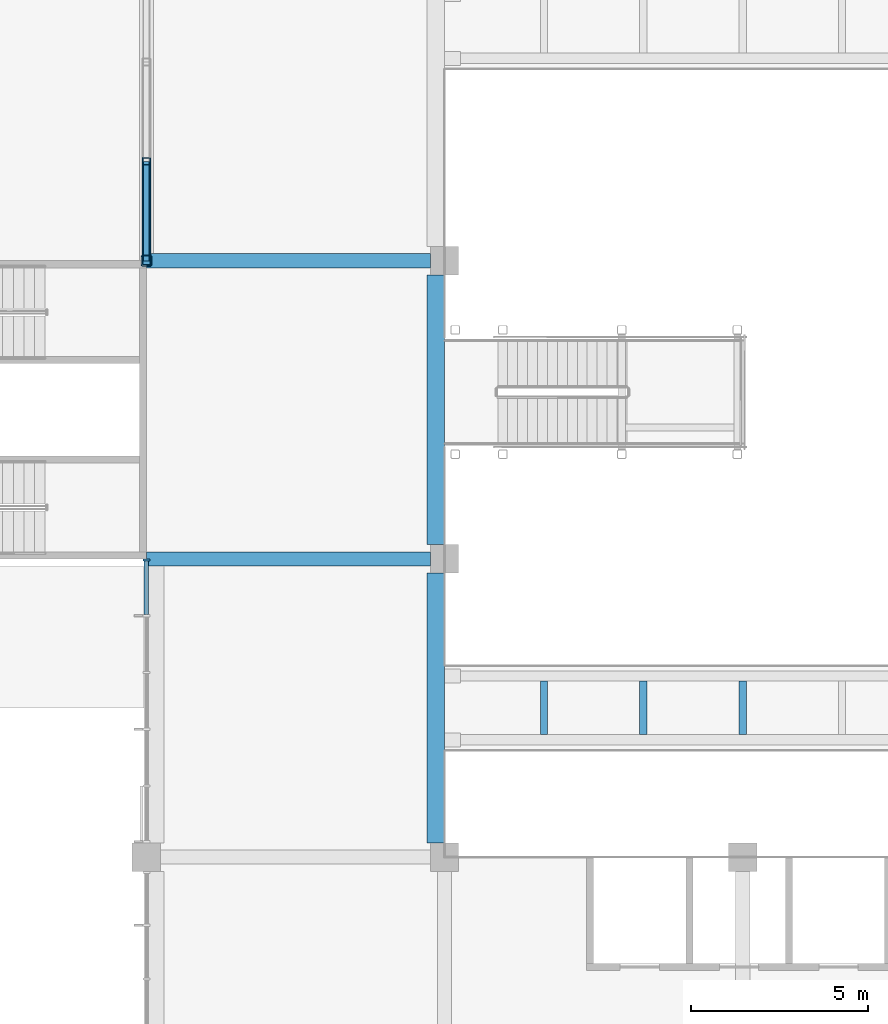
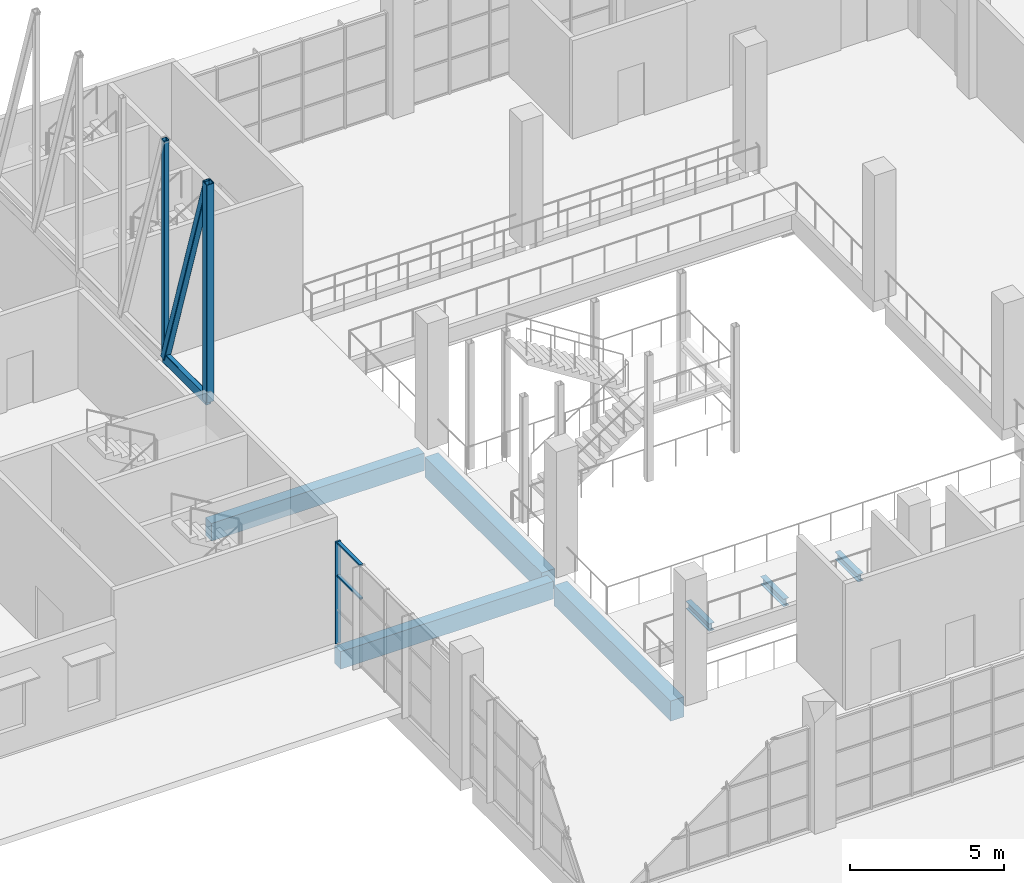
# One storey, part 13 of 101: 7 beams, 7 members, 1 element without a shape of its own.
"""IFC4 building model written with IfcOpenShell, lengths in metres."""

from ifc_helpers import new_model, si_unit, direction, frame, origin, origin_2d, place, context, subcontext, project, spatial, rectangle, hollow_rectangle, i_section, extrude, material, material_profile, profile_set, type_object, element, aggregate, save


model = new_model("IFC4")

# Units and contexts
model_context = context("Model", 3, precision=1e-05, world=origin(), true_north=direction((0.0, 1.0)))
body_context = subcontext(model_context, "Body", "Model", "MODEL_VIEW")
ifc_project = project(units=[si_unit("LENGTHUNIT", "METRE"), si_unit("AREAUNIT", "SQUARE_METRE"), si_unit("VOLUMEUNIT", "CUBIC_METRE"), si_unit("PLANEANGLEUNIT", "RADIAN"), si_unit("MASSUNIT", "GRAM", prefix="KILO")], contexts=[model_context])

# Site, building, storey
site_placement = place(None, origin())
site = spatial("IfcSite", under=ifc_project, at=site_placement, CompositionType="ELEMENT")
building_placement = place(site_placement, origin())
building = spatial("IfcBuilding", under=site, at=building_placement, Name="Almond Square Museum", CompositionType="ELEMENT")
storey_placement = place(building_placement, frame((0.0, 0.0, 5.5)))
storey = spatial("IfcBuildingStorey", under=building, at=storey_placement, Name="L01", CompositionType="ELEMENT", Elevation=5.5)

# Curtain wall, members
ifc_material_1 = material(Name="Aluminium and laminated glass", Category="aluminium")
curtain_wall_type = type_object("IfcCurtainWallType", Name="Unitised curtain wall 1500 module", PredefinedType="NOTDEFINED", material=ifc_material_1)
curtain_wall_placement = place(storey_placement, origin())
curtain_wall = element("IfcCurtainWall", 1, at=curtain_wall_placement, inside=storey, type_object=curtain_wall_type, Name="Curtain wall CW-11", PredefinedType="NOTDEFINED")
ifc_material_2 = material(Name="Anodised aluminium", Category="aluminium")
ifc_material_profile_1 = material_profile(ifc_material_2, rectangle(XDim=0.199951171875, YDim=0.06005859375, at=origin_2d()))
ifc_profile_set_1 = profile_set([ifc_material_profile_1], Name="Anodised aluminium")
member_type_1 = type_object("IfcMemberType", Name="Aluminium mullion 60 x 200", PredefinedType="MULLION", material=ifc_profile_set_1)
member_1_placement = place(storey_placement, frame((73.199951171875, 83.969970703125, 0.0), z_axis=(0.0, 0.0, 1.0), x_axis=(-1.0, 0.0, 0.0)))
member_1 = element("IfcMember", 2, at=member_1_placement, type_object=member_type_1, Name="CW-11 mullion 6", PredefinedType="MULLION", context=body_context, shape_type="SweptSolid", body=[
    extrude(rectangle(XDim=0.199951171875, YDim=0.06005859375, at=origin_2d()), origin(), (0.0, 0.0, 1.0), 4.050048828125),
])
ifc_material_3 = material(Name="Anodised aluminium", Category="aluminium")
ifc_material_profile_2 = material_profile(ifc_material_3, rectangle(XDim=0.1201171875, YDim=0.06005859375, at=origin_2d()))
ifc_profile_set_2 = profile_set([ifc_material_profile_2], Name="Anodised aluminium")
member_type_2 = type_object("IfcMemberType", Name="Aluminium transom 60 x 120", PredefinedType="USERDEFINED", material=ifc_profile_set_2)
member_2_placement = place(storey_placement, frame((73.199951171875, 82.429931640625, 2.699951171875), z_axis=(0.0, 1.0, 0.0), x_axis=(-1.0, 0.0, 0.0)))
member_2 = element("IfcMember", 3, at=member_2_placement, type_object=member_type_2, Name="CW-11 transom 5.3", ObjectType="TRANSOM", PredefinedType="USERDEFINED", context=body_context, shape_type="SweptSolid", body=[
    extrude(rectangle(XDim=0.1201171875, YDim=0.06005859375, at=origin_2d()), origin(), (0.0, 0.0, 1.0), 1.510009765625),
])
member_3_placement = place(storey_placement, frame((73.199951171875, 82.429931640625, 4.02001953125), z_axis=(0.0, 1.0, 0.0), x_axis=(-1.0, 0.0, 0.0)))
member_3 = element("IfcMember", 4, at=member_3_placement, type_object=member_type_2, Name="CW-11 transom 5.4", ObjectType="TRANSOM", PredefinedType="USERDEFINED", context=body_context, shape_type="SweptSolid", body=[
    extrude(rectangle(XDim=0.1201171875, YDim=0.06005859375, at=origin_2d()), origin(), (0.0, 0.0, 1.0), 1.510009765625),
])
aggregate(curtain_wall, [member_1, member_2, member_3])

# Beams
ifc_material_4 = material(Name="Structural steel S355", Category="steel")
ifc_material_profile_3 = material_profile(ifc_material_4, i_section(OverallWidth=0.202880859375, OverallDepth=0.302001953125, WebThickness=0.007568359375, FlangeThickness=0.01318359375, at=origin_2d()))
ifc_profile_set_3 = profile_set([ifc_material_profile_3], Name="Structural steel S355")
beam_type_1 = type_object("IfcBeamType", Name="Floor beam W310x60", PredefinedType="BEAM", material=ifc_profile_set_3)
for number, where, z_axis, x_axis, name in (
    (5, (84.39990234375, 79.0458984375, -0.301025390625), (0.0, 1.0, 0.0), (-1.0, 0.0, 0.0), "Bridge 1 cross beam 1"),
    (6, (87.199951171875, 79.0458984375, -0.301025390625), (0.0, 1.0, 0.0), (-1.0, 0.0, 0.0), "Bridge 1 cross beam 2"),
    (7, (90.0, 79.0458984375, -0.301025390625), (0.0, 1.0, 0.0), (-1.0, 0.0, 0.0), "Bridge 1 cross beam 3"),
):
    element("IfcBeam", number, at=place(storey_placement, frame(where, z_axis=z_axis, x_axis=x_axis)), inside=storey, type_object=beam_type_1, Name=name, PredefinedType="BEAM", context=body_context, shape_type="SweptSolid", body=[
        extrude(i_section(OverallWidth=0.202880859375, OverallDepth=0.302001953125, WebThickness=0.007568359375, FlangeThickness=0.01318359375, at=origin_2d()), origin(), (0.0, 0.0, 1.0), 1.508056640625),
    ])
ifc_material_5 = material(Name="Concrete C40/50", Category="concrete")
ifc_material_profile_4 = material_profile(ifc_material_5, rectangle(XDim=0.39990234375, YDim=0.699951171875, at=origin_2d()))
ifc_profile_set_4 = profile_set([ifc_material_profile_4], Name="Concrete C40/50")
beam_type_2 = type_object("IfcBeamType", Name="RC beam 400 x 700 C40/50", PredefinedType="BEAM", material=ifc_profile_set_4)
for number, where, z_axis, x_axis, name in (
    (8, (73.199951171875, 84.0, -0.60009765625), (1.0, 0.0, 0.0), (0.0, 1.0, 0.0), "Beam K 10-11 L01"),
    (9, (73.199951171875, 92.39990234375, -0.60009765625), (1.0, 0.0, 0.0), (0.0, 1.0, 0.0), "Beam L 10-11 L01"),
):
    element("IfcBeam", number, at=place(storey_placement, frame(where, z_axis=z_axis, x_axis=x_axis)), inside=storey, type_object=beam_type_2, Name=name, PredefinedType="BEAM", context=body_context, shape_type="SweptSolid", body=[
        extrude(rectangle(XDim=0.39990234375, YDim=0.699951171875, at=origin_2d()), origin(), (0.0, 0.0, 1.0), 8.0),
    ])
ifc_material_6 = material(Name="Concrete C40/50", Category="concrete")
ifc_material_profile_5 = material_profile(ifc_material_6, rectangle(XDim=0.5, YDim=0.800048828125, at=origin_2d()))
ifc_profile_set_5 = profile_set([ifc_material_profile_5], Name="Concrete C40/50")
beam_type_3 = type_object("IfcBeamType", Name="RC edge beam 500 x 800 C40/50", PredefinedType="BEAM", material=ifc_profile_set_5)
for number, where, z_axis, x_axis, name in (
    (10, (81.35009765625, 76.0, -0.64990234375), (0.0, 1.0, 0.0), (-1.0, 0.0, 0.0), "Edge beam 11 J-K L01"),
    (11, (81.35009765625, 84.39990234375, -0.64990234375), (0.0, 1.0, 0.0), (-1.0, 0.0, 0.0), "Edge beam 11 K-L L01"),
):
    element("IfcBeam", number, at=place(storey_placement, frame(where, z_axis=z_axis, x_axis=x_axis)), inside=storey, type_object=beam_type_3, Name=name, PredefinedType="BEAM", context=body_context, shape_type="SweptSolid", body=[
        extrude(rectangle(XDim=0.5, YDim=0.800048828125, at=origin_2d()), origin(), (0.0, 0.0, 1.0), 7.60009765625),
    ])

# Members
ifc_material_7 = material(Name="Structural steel S355", Category="steel")
ifc_material_profile_6 = material_profile(ifc_material_7, hollow_rectangle(XDim=0.199951171875, YDim=0.39990234375, WallThickness=0.012451171875, InnerFilletRadius=0.02490234375, OuterFilletRadius=0.03759765625, at=origin_2d()))
ifc_profile_set_6 = profile_set([ifc_material_profile_6], Name="Structural steel S355")
member_type_3 = type_object("IfcMemberType", Name="Truss chord RHS 400x200x12.5", PredefinedType="CHORD", material=ifc_profile_set_6)
member_4_placement = place(storey_placement, frame((73.199951171875, 92.39990234375, 4.550048828125), z_axis=(0.0, 1.0, 0.0), x_axis=(-1.0, 0.0, 0.0)))
element("IfcMember", 12, at=member_4_placement, inside=storey, type_object=member_type_3, Name="TR-17 bottom chord 1", PredefinedType="CHORD", context=body_context, shape_type="SweptSolid", body=[
    extrude(hollow_rectangle(XDim=0.199951171875, YDim=0.39990234375, WallThickness=0.012451171875, InnerFilletRadius=0.02490234375, OuterFilletRadius=0.03759765625, at=origin_2d()), origin(), (0.0, 0.0, 1.0), 2.800048828125),
])
ifc_material_8 = material(Name="Structural steel S355", Category="steel")
ifc_material_profile_7 = material_profile(ifc_material_8, hollow_rectangle(XDim=0.25, YDim=0.25, WallThickness=0.012451171875, InnerFilletRadius=0.02490234375, OuterFilletRadius=0.03759765625, at=origin_2d()))
ifc_profile_set_7 = profile_set([ifc_material_profile_7], Name="Structural steel S355")
member_type_4 = type_object("IfcMemberType", Name="Truss diagonal SHS 250x250x12.5", PredefinedType="BRACE", material=ifc_profile_set_7)
member_5_placement = place(storey_placement, frame((73.199951171875, 92.39990234375, 13.199951171875), z_axis=(0.0, 0.307974711219, -0.95139454342), x_axis=(-1.0, 0.0, 0.0)))
element("IfcMember", 13, at=member_5_placement, inside=storey, type_object=member_type_4, Name="TR-17 diagonal 1", PredefinedType="BRACE", context=body_context, shape_type="SweptSolid", body=[
    extrude(hollow_rectangle(XDim=0.25, YDim=0.25, WallThickness=0.012451171875, InnerFilletRadius=0.02490234375, OuterFilletRadius=0.03759765625, at=origin_2d()), origin(), (0.0, 0.0, 1.0), 9.091796875),
])
ifc_material_9 = material(Name="Structural steel S355", Category="steel")
ifc_material_profile_8 = material_profile(ifc_material_9, hollow_rectangle(XDim=0.199951171875, YDim=0.199951171875, WallThickness=0.010009765625, InnerFilletRadius=0.014892578125, OuterFilletRadius=0.02490234375, at=origin_2d()))
ifc_profile_set_8 = profile_set([ifc_material_profile_8], Name="Structural steel S355")
member_type_5 = type_object("IfcMemberType", Name="Truss post SHS 200x200x10", PredefinedType="POST", material=ifc_profile_set_8)
member_6_placement = place(storey_placement, frame((73.199951171875, 95.199951171875, 4.550048828125), z_axis=(0.0, 0.0, 1.0), x_axis=(1.0, 0.0, 0.0)))
element("IfcMember", 14, at=member_6_placement, inside=storey, type_object=member_type_5, Name="TR-17 post 2", PredefinedType="POST", context=body_context, shape_type="SweptSolid", body=[
    extrude(hollow_rectangle(XDim=0.199951171875, YDim=0.199951171875, WallThickness=0.010009765625, InnerFilletRadius=0.014892578125, OuterFilletRadius=0.02490234375, at=origin_2d()), origin(), (0.0, 0.0, 1.0), 8.64990234375),
])
ifc_material_10 = material(Name="Structural steel S355", Category="steel")
ifc_material_profile_9 = material_profile(ifc_material_10, hollow_rectangle(XDim=0.300048828125, YDim=0.300048828125, WallThickness=0.012451171875, InnerFilletRadius=0.02490234375, OuterFilletRadius=0.03759765625, at=origin_2d()))
ifc_profile_set_9 = profile_set([ifc_material_profile_9], Name="Structural steel S355")
member_type_6 = type_object("IfcMemberType", Name="Truss post SHS 300x300x12.5", PredefinedType="POST", material=ifc_profile_set_9)
member_7_placement = place(storey_placement, frame((73.199951171875, 92.39990234375, 4.550048828125), z_axis=(0.0, 0.0, 1.0), x_axis=(1.0, 0.0, 0.0)))
element("IfcMember", 15, at=member_7_placement, inside=storey, type_object=member_type_6, Name="TR-17 post 1", PredefinedType="POST", context=body_context, shape_type="SweptSolid", body=[
    extrude(hollow_rectangle(XDim=0.300048828125, YDim=0.300048828125, WallThickness=0.012451171875, InnerFilletRadius=0.02490234375, OuterFilletRadius=0.03759765625, at=origin_2d()), origin(), (0.0, 0.0, 1.0), 8.64990234375),
])

save(model, "model.ifc")
